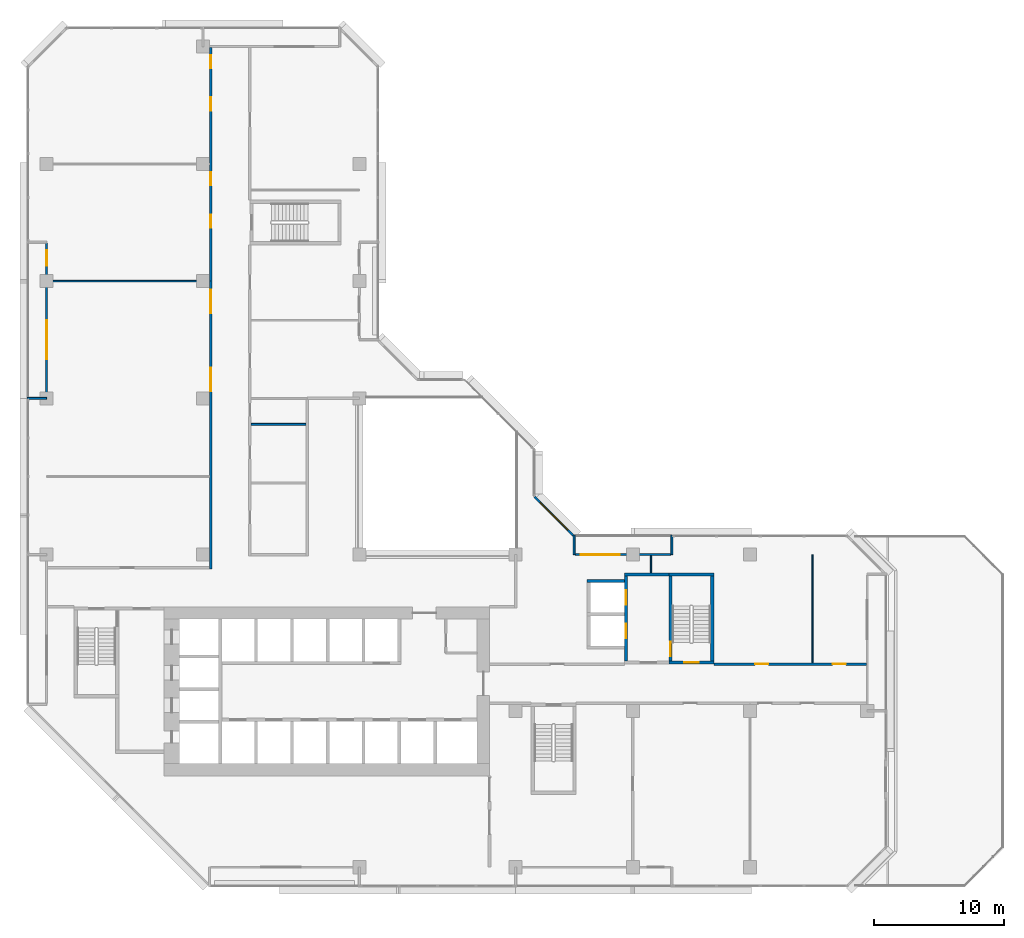
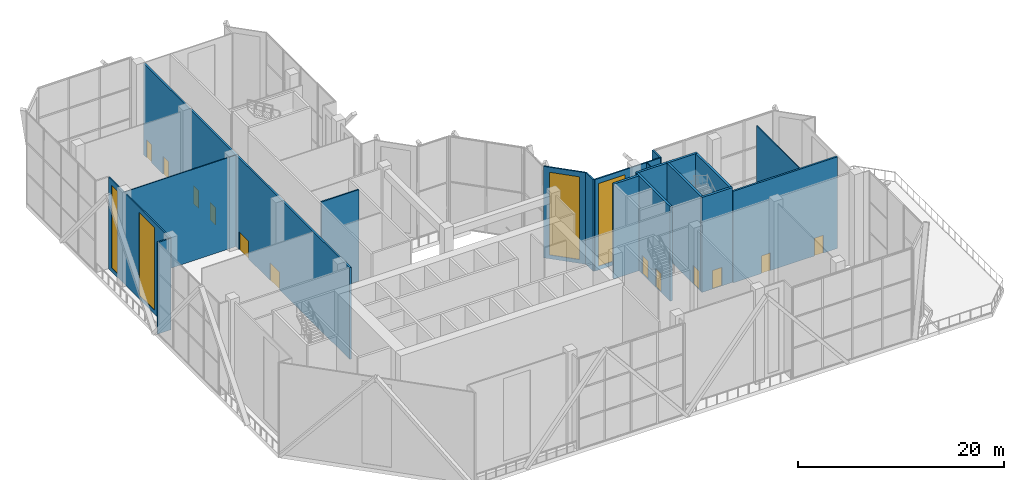
# One storey, part 14 of 21: 19 walls, 12 doors, 4 windows, 16 openings.
"""IFC4 building model written with IfcOpenShell, lengths in metres."""

import ifcopenshell
import ifcopenshell.guid

model = None  # the IFC model being written
_history = None  # IfcOwnerHistory: only IFC2X3 demands one
_inside = {}  # id of a spatial element -> (the spatial element, [elements in it])
_under = {}  # id of a project, library or spatial element -> (it, [spatial elements below it])
_declared = {}  # id of a project -> (the project, [libraries it declares])
_typed = {}  # id of a type object -> (the type object, [elements of that type])
_made_of = {}  # id of a material, layer set ... -> (it, [elements and type objects made of it])


def new_model(schema):
    """Start an empty IFC model of exactly this schema.

    Asked for "IFC4X3", IfcOpenShell would pick the latest addendum, in which some entities
    have other attributes; the version numbers below select the first issue.
    IFC2X3 requires an IfcOwnerHistory on every rooted entity: one is made here for all.
    """
    global model, _history
    if schema == "IFC4X3":
        model = ifcopenshell.file(schema_version=(4, 3, 0, 0))
    else:
        model = ifcopenshell.file(schema=schema)
    _inside.clear()
    _under.clear()
    _declared.clear()
    _typed.clear()
    _made_of.clear()
    _history = None
    if model.schema == "IFC2X3":
        org = make("IfcOrganization", Name="unknown")
        user = make(
            "IfcPersonAndOrganization",
            ThePerson=make("IfcPerson", FamilyName="unknown"),
            TheOrganization=org,
        )
        app = make(
            "IfcApplication",
            ApplicationDeveloper=org,
            Version="unknown",
            ApplicationFullName="unknown",
            ApplicationIdentifier="unknown",
        )
        _history = make(
            "IfcOwnerHistory",
            OwningUser=user,
            OwningApplication=app,
            ChangeAction="ADDED",
            CreationDate=0,
        )
    return model


def make(cls, **values):
    """One entity of the class cls with the attributes given. An attribute that is None is left unset."""
    return model.create_entity(
        cls, **{name: value for name, value in values.items() if value is not None}
    )


def rooted(cls, **values):
    """An entity with a GlobalId (a new one), such as an element, a storey or a relation."""
    return make(cls, GlobalId=ifcopenshell.guid.new(), OwnerHistory=_history, **values)


def si_unit(unit_type, name, prefix=None):
    """IfcSIUnit, for example si_unit("LENGTHUNIT", "METRE", prefix="MILLI")."""
    return make("IfcSIUnit", UnitType=unit_type, Prefix=prefix, Name=name)


def assignment(units):
    """IfcUnitAssignment: the units of a project."""
    return None if units is None else make("IfcUnitAssignment", Units=units)


def point(xyz):
    """IfcCartesianPoint."""
    return None if xyz is None else make("IfcCartesianPoint", Coordinates=xyz)


def direction(xyz):
    """IfcDirection."""
    return None if xyz is None else make("IfcDirection", DirectionRatios=xyz)


def frame(location, z_axis=None, x_axis=None):
    """IfcAxis2Placement3D, a coordinate frame: its origin and axes. An axis left out is left unset."""
    return make(
        "IfcAxis2Placement3D",
        Location=point(location),
        Axis=direction(z_axis),
        RefDirection=direction(x_axis),
    )


def frame_2d(location, x_axis=None):
    """IfcAxis2Placement2D, a coordinate frame in the plane: its origin and x axis."""
    return make(
        "IfcAxis2Placement2D", Location=point(location), RefDirection=direction(x_axis)
    )


def origin():
    """The frame at (0, 0, 0) with its axes left unset."""
    return frame((0.0, 0.0, 0.0))


def place(relative_to, where):
    """IfcLocalPlacement: puts the frame where relative to a parent placement (None: the world)."""
    return make(
        "IfcLocalPlacement", PlacementRelTo=relative_to, RelativePlacement=where
    )


def context(
    kind, dimensions, precision=None, world=None, true_north=None, identifier=None
):
    """IfcGeometricRepresentationContext, for example the 3D "Model" context."""
    return make(
        "IfcGeometricRepresentationContext",
        ContextIdentifier=identifier,
        ContextType=kind,
        CoordinateSpaceDimension=dimensions,
        Precision=precision,
        WorldCoordinateSystem=world,
        TrueNorth=true_north,
    )


def subcontext(parent, identifier, kind, view, scale=None):
    """IfcGeometricRepresentationSubContext, for example "Body" below "Model"."""
    return make(
        "IfcGeometricRepresentationSubContext",
        ContextIdentifier=identifier,
        ContextType=kind,
        ParentContext=parent,
        TargetScale=scale,
        TargetView=view,
    )


def project(units=None, contexts=None):
    """IfcProject with its units and contexts."""
    return rooted(
        "IfcProject",
        Name="project",
        RepresentationContexts=contexts,
        UnitsInContext=assignment(units),
    )


def spatial(cls, under=None, at=None, **own):
    """A site, building, storey or space (cls), placed at a placement, below another one or the project."""
    s = rooted(cls, ObjectPlacement=at, **own)
    if under is not None:
        _under.setdefault(under.id(), (under, []))[1].append(s)
    return s


def profile(cls, at=None, kind="AREA", **sizes):
    """A parametric profile (cls). Its sizes go by their IFC names, for example OverallWidth=200.0."""
    return make(cls, ProfileType=kind, Position=at, **sizes)


def rectangle(**sizes):
    """IfcRectangleProfileDef."""
    return profile("IfcRectangleProfileDef", **sizes)


def extrude(swept, where, along, depth):
    """IfcExtrudedAreaSolid: the profile swept, set in the frame where, extruded along a direction by depth."""
    return make(
        "IfcExtrudedAreaSolid",
        SweptArea=swept,
        Position=where,
        ExtrudedDirection=direction(along),
        Depth=depth,
    )


def shape(context_of_items, identifier, shape_type, items):
    """IfcShapeRepresentation: the items that make up one representation, for example the "Body"."""
    return make(
        "IfcShapeRepresentation",
        ContextOfItems=context_of_items,
        RepresentationIdentifier=identifier,
        RepresentationType=shape_type,
        Items=items,
    )


def material(Name=None, Category=None):
    """IfcMaterial."""
    return make("IfcMaterial", Name=Name, Category=Category)


def layer(
    of_material, thickness, ventilated=None, Name=None, Category=None, Priority=None
):
    """IfcMaterialLayer: one layer of a wall or slab, of a material (None: an air gap)."""
    return make(
        "IfcMaterialLayer",
        Material=of_material,
        LayerThickness=thickness,
        IsVentilated=ventilated,
        Name=Name,
        Category=Category,
        Priority=Priority,
    )


def layer_set(layers, Name=None):
    """IfcMaterialLayerSet."""
    return make("IfcMaterialLayerSet", MaterialLayers=layers, LayerSetName=Name)


def made_of(thing, what):
    """Note that an element or type object is made of a material, layer set ...; save() writes the relation."""
    if what is not None:
        _made_of.setdefault(what.id(), (what, []))[1].append(thing)
    return thing


def type_object(cls, material=None, **own):
    """A type object (cls), such as IfcWallType, which elements share."""
    return made_of(rooted(cls, **own), material)


def element(
    cls,
    number,
    at=None,
    inside=None,
    cuts=None,
    type_object=None,
    material=None,
    context=None,
    identifier="Body",
    shape_type=None,
    held_by="IfcProductDefinitionShape",
    body=None,
    shapes=None,
    **own,
):
    """One element of the class cls, such as IfcWall. Its Tag is "e" and its number.

    at: its placement. inside: the storey or other place that contains it. cuts: it is an
    opening in that element (IfcRelVoidsElement). A single representation is given by context,
    identifier, shape_type and body (its items); several are given by shapes. held_by: the class
    of the entity that holds the representations. save() writes the other relations.
    """
    e = rooted(cls, Tag="e%d" % number, ObjectPlacement=at, **own)
    if body is not None:
        shapes = [shape(context, identifier, shape_type, body)]
    if shapes is not None:
        e.Representation = make(held_by, Representations=shapes)
    if inside is not None:
        _inside.setdefault(inside.id(), (inside, []))[1].append(e)
    if cuts is not None:
        rooted(
            "IfcRelVoidsElement", RelatingBuildingElement=cuts, RelatedOpeningElement=e
        )
    if type_object is not None:
        _typed.setdefault(type_object.id(), (type_object, []))[1].append(e)
    return made_of(e, material)


def fill(opening, filler):
    """IfcRelFillsElement: the door or window that sits in an opening."""
    return rooted(
        "IfcRelFillsElement",
        RelatingOpeningElement=opening,
        RelatedBuildingElement=filler,
    )


def aggregate(whole, parts):
    """IfcRelAggregates: a whole, such as a stair, and the parts it consists of."""
    return rooted("IfcRelAggregates", RelatingObject=whole, RelatedObjects=parts)


def save(model, path):
    """Write the relations noted so far, then the file.

    IfcRelAggregates (storeys below a building ...), IfcRelContainedInSpatialStructure (elements
    in a storey), IfcRelDefinesByType, IfcRelAssociatesMaterial and IfcRelDeclares: one each for
    every whole, place, type object, material and project.
    """
    for whole, parts in _under.values():
        aggregate(whole, parts)
    for where, things in _inside.values():
        rooted(
            "IfcRelContainedInSpatialStructure",
            RelatedElements=things,
            RelatingStructure=where,
        )
    for kind, things in _typed.values():
        rooted("IfcRelDefinesByType", RelatedObjects=things, RelatingType=kind)
    for what, things in _made_of.values():
        rooted("IfcRelAssociatesMaterial", RelatedObjects=things, RelatingMaterial=what)
    for by, libraries in _declared.values():
        rooted("IfcRelDeclares", RelatingContext=by, RelatedDefinitions=libraries)
    model.write(path)


model = new_model("IFC4")

# Units and contexts
model_context = context("Model", 3, precision=1e-05, world=origin(), true_north=direction((0.0, 1.0)))
body_context = subcontext(model_context, "Body", "Model", "MODEL_VIEW")
ifc_project = project(units=[si_unit("LENGTHUNIT", "METRE"), si_unit("AREAUNIT", "SQUARE_METRE"), si_unit("VOLUMEUNIT", "CUBIC_METRE"), si_unit("PLANEANGLEUNIT", "RADIAN"), si_unit("MASSUNIT", "GRAM", prefix="KILO")], contexts=[model_context])

# Site, building, storey
site_placement = place(None, origin())
site = spatial("IfcSite", under=ifc_project, at=site_placement, CompositionType="ELEMENT")
building_placement = place(site_placement, origin())
building = spatial("IfcBuilding", under=site, at=building_placement, Name="Chenar Terraces", CompositionType="ELEMENT")
storey_placement = place(building_placement, frame((0.0, 0.0, 146.14990234375)))
storey = spatial("IfcBuildingStorey", under=building, at=storey_placement, Name="L34", CompositionType="ELEMENT", Elevation=146.14990234375)

# Wall, opening, door
ifc_material_1 = material(Name="Concrete C70/85", Category="concrete")
ifc_layer_1 = layer(ifc_material_1, 0.25)
ifc_layer_set_1 = layer_set([ifc_layer_1], Name="Concrete C70/85")
wall_type_1 = type_object("IfcWallType", Name="Core wall 250 Concrete C70/85", PredefinedType="SHEAR", material=ifc_layer_set_1)
wall_1_placement = place(storey_placement, frame((47.77490234375, 15.72509765625, 0.0), z_axis=(0.0, 0.0, 1.0), x_axis=(1.0, 0.0, 0.0)))
wall_1 = element("IfcWall", 1, at=wall_1_placement, inside=storey, type_object=wall_type_1, Name="Core wall ST3_S L34", PredefinedType="SHEAR", context=body_context, shape_type="SweptSolid", body=[
    extrude(rectangle(XDim=3.4501953125, YDim=0.25, at=frame_2d((1.72509765625, 0.0))), origin(), (0.0, 0.0, 1.0), 11.25),
])
opening_1_placement = place(wall_1_placement, frame((1.175048828125, 0.0, 0.0)))
opening_1 = element("IfcOpeningElement", 2, at=opening_1_placement, cuts=wall_1, Name="Opening DL34-C8", PredefinedType="OPENING", context=body_context, shape_type="SweptSolid", body=[
    extrude(rectangle(XDim=1.10009765625, YDim=2.199951171875, at=frame_2d((0.550048828125, 1.10009765625))), frame((0.0, 0.135009765625, 0.0), z_axis=(0.0, -1.0, 0.0), x_axis=(1.0, 0.0, 0.0)), (0.0, 0.0, 1.0), 0.27001953125),
])
ifc_material_2 = material(Name="Steel-framed fire-resisting door leaf", Category="steel")
door_type_1 = type_object("IfcDoorType", Name="Stair fire door FD60 1100 x 2200", OperationType="SINGLE_SWING_LEFT", PredefinedType="DOOR", material=ifc_material_2)
door_1_placement = place(opening_1_placement, frame((1.10009765625, 0.0, 0.0), z_axis=(0.0, 0.0, 1.0), x_axis=(-1.0, 0.0, 0.0)))
door_1 = element("IfcDoor", 3, at=door_1_placement, inside=storey, type_object=door_type_1, Name="Stair door DL34-C8", OperationType="SINGLE_SWING_LEFT", OverallHeight=2.199951171875, OverallWidth=1.10009765625, PredefinedType="DOOR", context=body_context, shape_type="SweptSolid", body=[
    extrude(rectangle(XDim=1.10009765625, YDim=2.199951171875, at=frame_2d((0.550048828125, 1.10009765625))), frame((0.0, 0.02490234375, 0.0), z_axis=(0.0, -1.0, 0.0), x_axis=(1.0, 0.0, 0.0)), (0.0, 0.0, 1.0), 0.050048828125),
])
fill(opening_1, door_1)

# Wall
wall_2_placement = place(storey_placement, frame((47.77490234375, 22.47509765625, 0.0), z_axis=(0.0, 0.0, 1.0), x_axis=(1.0, 0.0, 0.0)))
element("IfcWall", 4, at=wall_2_placement, inside=storey, type_object=wall_type_1, Name="Core wall ST3_N L34", PredefinedType="SHEAR", context=body_context, shape_type="SweptSolid", body=[
    extrude(rectangle(XDim=3.4501953125, YDim=0.25, at=frame_2d((1.72509765625, 0.0))), origin(), (0.0, 0.0, 1.0), 11.25),
])

# Wall, opening, door
wall_3_placement = place(storey_placement, frame((47.89990234375, 15.85009765625, 0.0), z_axis=(0.0, 0.0, 1.0), x_axis=(0.0, 1.0, 0.0)))
wall_3 = element("IfcWall", 5, at=wall_3_placement, inside=storey, type_object=wall_type_1, Name="Core wall ST3_W L34", PredefinedType="SHEAR", context=body_context, shape_type="SweptSolid", body=[
    extrude(rectangle(XDim=6.5, YDim=0.25, at=frame_2d((3.25, 0.0))), origin(), (0.0, 0.0, 1.0), 11.25),
])
opening_2_placement = place(wall_3_placement, frame((0.35009765625, 0.0, 0.0)))
opening_2 = element("IfcOpeningElement", 6, at=opening_2_placement, cuts=wall_3, Name="Opening DL34-C11", PredefinedType="OPENING", context=body_context, shape_type="SweptSolid", body=[
    extrude(rectangle(XDim=1.10009765625, YDim=2.199951171875, at=frame_2d((0.550048828125, 1.10009765625))), frame((0.0, 0.135009765625, 0.0), z_axis=(0.0, -1.0, 0.0), x_axis=(1.0, 0.0, 0.0)), (0.0, 0.0, 1.0), 0.27001953125),
])
door_2_placement = place(opening_2_placement, frame((1.10009765625, 0.0, 0.0), z_axis=(0.0, 0.0, 1.0), x_axis=(-1.0, 0.0, 0.0)))
door_2 = element("IfcDoor", 7, at=door_2_placement, inside=storey, type_object=door_type_1, Name="Stair door DL34-C11", OperationType="SINGLE_SWING_RIGHT", OverallHeight=2.199951171875, OverallWidth=1.10009765625, PredefinedType="DOOR", context=body_context, shape_type="SweptSolid", body=[
    extrude(rectangle(XDim=1.10009765625, YDim=2.199951171875, at=frame_2d((0.550048828125, 1.10009765625))), frame((0.0, 0.02490234375, 0.0), z_axis=(0.0, -1.0, 0.0), x_axis=(1.0, 0.0, 0.0)), (0.0, 0.0, 1.0), 0.050048828125),
])
fill(opening_2, door_2)

# Walls
wall_4_placement = place(storey_placement, frame((51.10009765625, 15.85009765625, 0.0), z_axis=(0.0, 0.0, 1.0), x_axis=(0.0, 1.0, 0.0)))
element("IfcWall", 8, at=wall_4_placement, inside=storey, type_object=wall_type_1, Name="Core wall ST3_E L34", PredefinedType="SHEAR", context=body_context, shape_type="SweptSolid", body=[
    extrude(rectangle(XDim=6.5, YDim=0.25, at=frame_2d((3.25, 0.0))), origin(), (0.0, 0.0, 1.0), 11.25),
])
wall_5_placement = place(storey_placement, frame((44.35009765625, 22.47509765625, 0.0), z_axis=(0.0, 0.0, 1.0), x_axis=(1.0, 0.0, 0.0)))
element("IfcWall", 9, at=wall_5_placement, inside=storey, type_object=wall_type_1, Name="Core wall F3_LN L34", PredefinedType="SHEAR", context=body_context, shape_type="SweptSolid", body=[
    extrude(rectangle(XDim=3.4248046875, YDim=0.25, at=frame_2d((1.71240234375, 0.0))), origin(), (0.0, 0.0, 1.0), 11.25),
])

# Wall, openings, doors
wall_6_placement = place(storey_placement, frame((44.47509765625, 15.85009765625, 0.0), z_axis=(0.0, 0.0, 1.0), x_axis=(0.0, 1.0, 0.0)))
wall_6 = element("IfcWall", 10, at=wall_6_placement, inside=storey, type_object=wall_type_1, Name="Core wall F3_LW L34", PredefinedType="SHEAR", context=body_context, shape_type="SweptSolid", body=[
    extrude(rectangle(XDim=6.5, YDim=0.25, at=frame_2d((3.25, 0.0))), origin(), (0.0, 0.0, 1.0), 11.25),
])
opening_3_placement = place(wall_6_placement, frame((1.75, 0.0, 0.0)))
opening_3 = element("IfcOpeningElement", 11, at=opening_3_placement, cuts=wall_6, Name="Opening DL34-LD12", PredefinedType="OPENING", context=body_context, shape_type="SweptSolid", body=[
    extrude(rectangle(XDim=1.10009765625, YDim=2.199951171875, at=frame_2d((0.550048828125, 1.10009765625))), frame((0.0, 0.135009765625, 0.0), z_axis=(0.0, -1.0, 0.0), x_axis=(1.0, 0.0, 0.0)), (0.0, 0.0, 1.0), 0.27001953125),
])
opening_4_placement = place(wall_6_placement, frame((4.300048828125, 0.0, 0.0)))
opening_4 = element("IfcOpeningElement", 12, at=opening_4_placement, cuts=wall_6, Name="Opening DL34-LD13", PredefinedType="OPENING", context=body_context, shape_type="SweptSolid", body=[
    extrude(rectangle(XDim=1.10009765625, YDim=2.199951171875, at=frame_2d((0.550048828125, 1.10009765625))), frame((0.0, 0.135009765625, 0.0), z_axis=(0.0, -1.0, 0.0), x_axis=(1.0, 0.0, 0.0)), (0.0, 0.0, 1.0), 0.27001953125),
])
ifc_material_3 = material(Name="Stainless steel", Category="steel")
door_type_2 = type_object("IfcDoorType", Name="Lift landing door 1100 x 2200 sliding", OperationType="DOUBLE_DOOR_SLIDING", PredefinedType="DOOR", material=ifc_material_3)
door_3_placement = place(opening_3_placement, origin())
door_3 = element("IfcDoor", 13, at=door_3_placement, inside=storey, type_object=door_type_2, Name="Landing door F3", OperationType="DOUBLE_DOOR_SLIDING", OverallHeight=2.199951171875, OverallWidth=1.10009765625, PredefinedType="DOOR", context=body_context, shape_type="SweptSolid", body=[
    extrude(rectangle(XDim=1.10009765625, YDim=2.199951171875, at=frame_2d((0.550048828125, 1.10009765625))), frame((0.0, 0.02490234375, 0.0), z_axis=(0.0, -1.0, 0.0), x_axis=(1.0, 0.0, 0.0)), (0.0, 0.0, 1.0), 0.050048828125),
])
fill(opening_3, door_3)
door_4_placement = place(opening_4_placement, origin())
door_4 = element("IfcDoor", 14, at=door_4_placement, inside=storey, type_object=door_type_2, Name="Landing door F4", OperationType="DOUBLE_DOOR_SLIDING", OverallHeight=2.199951171875, OverallWidth=1.10009765625, PredefinedType="DOOR", context=body_context, shape_type="SweptSolid", body=[
    extrude(rectangle(XDim=1.10009765625, YDim=2.199951171875, at=frame_2d((0.550048828125, 1.10009765625))), frame((0.0, 0.02490234375, 0.0), z_axis=(0.0, -1.0, 0.0), x_axis=(1.0, 0.0, 0.0)), (0.0, 0.0, 1.0), 0.050048828125),
])
fill(opening_4, door_4)

# Wall
wall_7_placement = place(storey_placement, frame((41.5, 21.97509765625, 0.0), z_axis=(0.0, 0.0, 1.0), x_axis=(1.0, 0.0, 0.0)))
element("IfcWall", 15, at=wall_7_placement, inside=storey, type_object=wall_type_1, Name="Core wall F4_SN L34", PredefinedType="SHEAR", context=body_context, shape_type="SweptSolid", body=[
    extrude(rectangle(XDim=2.85009765625, YDim=0.25, at=frame_2d((1.425048828125, 0.0))), origin(), (0.0, 0.0, 1.0), 11.25),
])

# Wall, openings, doors
ifc_material_4 = material(Name="Gypsum board on steel studs with fire boards", Category="steel")
ifc_layer_2 = layer(ifc_material_4, 0.199951171875)
ifc_layer_set_2 = layer_set([ifc_layer_2], Name="Gypsum board on steel studs with fire boards")
wall_type_2 = type_object("IfcWallType", Name="Corridor wall 200", PredefinedType="PARTITIONING", material=ifc_layer_set_2)
wall_8_placement = place(storey_placement, frame((12.60009765625, 22.89990234375, 0.0), z_axis=(0.0, 0.0, 1.0), x_axis=(0.0, 1.0, 0.0)))
wall_8 = element("IfcWall", 16, at=wall_8_placement, inside=storey, type_object=wall_type_2, Name="Partition L34-006", PredefinedType="PARTITIONING", context=body_context, shape_type="SweptSolid", body=[
    extrude(rectangle(XDim=40.026123046875, YDim=0.199951171875, at=frame_2d((20.01318359375, 0.0))), origin(), (0.0, 0.0, 1.0), 10.85009765625),
])
opening_5_placement = place(wall_8_placement, frame((13.64990234375, 0.0, 0.0)))
opening_5 = element("IfcOpeningElement", 17, at=opening_5_placement, cuts=wall_8, Name="Opening DL34-12", PredefinedType="OPENING", context=body_context, shape_type="SweptSolid", body=[
    extrude(rectangle(XDim=1.800048828125, YDim=2.10009765625, at=frame_2d((0.89990234375, 1.050048828125))), frame((0.0, 0.10986328125, 0.0), z_axis=(0.0, -1.0, 0.0), x_axis=(1.0, 0.0, 0.0)), (0.0, 0.0, 1.0), 0.219970703125),
])
opening_6_placement = place(wall_8_placement, frame((19.64990234375, 0.0, 0.0)))
opening_6 = element("IfcOpeningElement", 18, at=opening_6_placement, cuts=wall_8, Name="Opening DL34-13", PredefinedType="OPENING", context=body_context, shape_type="SweptSolid", body=[
    extrude(rectangle(XDim=1.800048828125, YDim=2.10009765625, at=frame_2d((0.89990234375, 1.050048828125))), frame((0.0, 0.10986328125, 0.0), z_axis=(0.0, -1.0, 0.0), x_axis=(1.0, 0.0, 0.0)), (0.0, 0.0, 1.0), 0.219970703125),
])
opening_7_placement = place(wall_8_placement, frame((26.199951171875, 0.0, 0.0)))
opening_7 = element("IfcOpeningElement", 19, at=opening_7_placement, cuts=wall_8, Name="Opening DL34-14", PredefinedType="OPENING", context=body_context, shape_type="SweptSolid", body=[
    extrude(rectangle(XDim=1.0, YDim=2.10009765625, at=frame_2d((0.5, 1.050048828125))), frame((0.0, 0.10986328125, 0.0), z_axis=(0.0, -1.0, 0.0), x_axis=(1.0, 0.0, 0.0)), (0.0, 0.0, 1.0), 0.219970703125),
])
opening_8_placement = place(wall_8_placement, frame((29.449951171875, 0.0, 0.0)))
opening_8 = element("IfcOpeningElement", 20, at=opening_8_placement, cuts=wall_8, Name="Opening DL34-15", PredefinedType="OPENING", context=body_context, shape_type="SweptSolid", body=[
    extrude(rectangle(XDim=1.0, YDim=2.10009765625, at=frame_2d((0.5, 1.050048828125))), frame((0.0, 0.10986328125, 0.0), z_axis=(0.0, -1.0, 0.0), x_axis=(1.0, 0.0, 0.0)), (0.0, 0.0, 1.0), 0.219970703125),
])
opening_9_placement = place(wall_8_placement, frame((35.199951171875, 0.0, 0.0)))
opening_9 = element("IfcOpeningElement", 21, at=opening_9_placement, cuts=wall_8, Name="Opening DL34-16", PredefinedType="OPENING", context=body_context, shape_type="SweptSolid", body=[
    extrude(rectangle(XDim=1.0, YDim=2.10009765625, at=frame_2d((0.5, 1.050048828125))), frame((0.0, 0.10986328125, 0.0), z_axis=(0.0, -1.0, 0.0), x_axis=(1.0, 0.0, 0.0)), (0.0, 0.0, 1.0), 0.219970703125),
])
opening_10_placement = place(wall_8_placement, frame((38.449951171875, 0.0, 0.0)))
opening_10 = element("IfcOpeningElement", 22, at=opening_10_placement, cuts=wall_8, Name="Opening DL34-17", PredefinedType="OPENING", context=body_context, shape_type="SweptSolid", body=[
    extrude(rectangle(XDim=1.0, YDim=2.10009765625, at=frame_2d((0.5, 1.050048828125))), frame((0.0, 0.10986328125, 0.0), z_axis=(0.0, -1.0, 0.0), x_axis=(1.0, 0.0, 0.0)), (0.0, 0.0, 1.0), 0.219970703125),
])
ifc_material_5 = material(Name="Steel-framed fire-resisting door leaf", Category="steel")
door_type_3 = type_object("IfcDoorType", Name="Fire door FD60 1000 x 2100", OperationType="SINGLE_SWING_LEFT", PredefinedType="DOOR", material=ifc_material_5)
door_5_placement = place(opening_7_placement, origin())
door_5 = element("IfcDoor", 23, at=door_5_placement, inside=storey, type_object=door_type_3, Name="Door DL34-14", OperationType="SINGLE_SWING_RIGHT", OverallHeight=2.10009765625, OverallWidth=1.0, PredefinedType="DOOR", context=body_context, shape_type="SweptSolid", body=[
    extrude(rectangle(XDim=1.0, YDim=2.10009765625, at=frame_2d((0.5, 1.050048828125))), frame((0.0, 0.02490234375, 0.0), z_axis=(0.0, -1.0, 0.0), x_axis=(1.0, 0.0, 0.0)), (0.0, 0.0, 1.0), 0.050048828125),
])
fill(opening_7, door_5)
door_6_placement = place(opening_8_placement, origin())
door_6 = element("IfcDoor", 24, at=door_6_placement, inside=storey, type_object=door_type_3, Name="Door DL34-15", OperationType="SINGLE_SWING_RIGHT", OverallHeight=2.10009765625, OverallWidth=1.0, PredefinedType="DOOR", context=body_context, shape_type="SweptSolid", body=[
    extrude(rectangle(XDim=1.0, YDim=2.10009765625, at=frame_2d((0.5, 1.050048828125))), frame((0.0, 0.02490234375, 0.0), z_axis=(0.0, -1.0, 0.0), x_axis=(1.0, 0.0, 0.0)), (0.0, 0.0, 1.0), 0.050048828125),
])
fill(opening_8, door_6)
door_7_placement = place(opening_9_placement, origin())
door_7 = element("IfcDoor", 25, at=door_7_placement, inside=storey, type_object=door_type_3, Name="Door DL34-16", OperationType="SINGLE_SWING_RIGHT", OverallHeight=2.10009765625, OverallWidth=1.0, PredefinedType="DOOR", context=body_context, shape_type="SweptSolid", body=[
    extrude(rectangle(XDim=1.0, YDim=2.10009765625, at=frame_2d((0.5, 1.050048828125))), frame((0.0, 0.02490234375, 0.0), z_axis=(0.0, -1.0, 0.0), x_axis=(1.0, 0.0, 0.0)), (0.0, 0.0, 1.0), 0.050048828125),
])
fill(opening_9, door_7)
door_8_placement = place(opening_10_placement, origin())
door_8 = element("IfcDoor", 26, at=door_8_placement, inside=storey, type_object=door_type_3, Name="Door DL34-17", OperationType="SINGLE_SWING_RIGHT", OverallHeight=2.10009765625, OverallWidth=1.0, PredefinedType="DOOR", context=body_context, shape_type="SweptSolid", body=[
    extrude(rectangle(XDim=1.0, YDim=2.10009765625, at=frame_2d((0.5, 1.050048828125))), frame((0.0, 0.02490234375, 0.0), z_axis=(0.0, -1.0, 0.0), x_axis=(1.0, 0.0, 0.0)), (0.0, 0.0, 1.0), 0.050048828125),
])
fill(opening_10, door_8)
ifc_material_6 = material(Name="Steel-framed fire-resisting door leaf", Category="steel")
door_type_4 = type_object("IfcDoorType", Name="Fire double door FD60 1800 x 2100", OperationType="DOUBLE_DOOR_SINGLE_SWING", PredefinedType="DOOR", material=ifc_material_6)
door_9_placement = place(opening_5_placement, origin())
door_9 = element("IfcDoor", 27, at=door_9_placement, inside=storey, type_object=door_type_4, Name="Door DL34-12", OperationType="DOUBLE_DOOR_SINGLE_SWING", OverallHeight=2.10009765625, OverallWidth=1.800048828125, PredefinedType="DOOR", context=body_context, shape_type="SweptSolid", body=[
    extrude(rectangle(XDim=1.800048828125, YDim=2.10009765625, at=frame_2d((0.89990234375, 1.050048828125))), frame((0.0, 0.02490234375, 0.0), z_axis=(0.0, -1.0, 0.0), x_axis=(1.0, 0.0, 0.0)), (0.0, 0.0, 1.0), 0.050048828125),
])
fill(opening_5, door_9)
door_10_placement = place(opening_6_placement, origin())
door_10 = element("IfcDoor", 28, at=door_10_placement, inside=storey, type_object=door_type_4, Name="Door DL34-13", OperationType="DOUBLE_DOOR_SINGLE_SWING", OverallHeight=2.10009765625, OverallWidth=1.800048828125, PredefinedType="DOOR", context=body_context, shape_type="SweptSolid", body=[
    extrude(rectangle(XDim=1.800048828125, YDim=2.10009765625, at=frame_2d((0.89990234375, 1.050048828125))), frame((0.0, 0.02490234375, 0.0), z_axis=(0.0, -1.0, 0.0), x_axis=(1.0, 0.0, 0.0)), (0.0, 0.0, 1.0), 0.050048828125),
])
fill(opening_6, door_10)

wall_9_placement = place(storey_placement, frame((51.22509765625, 15.60009765625, 0.0), z_axis=(0.0, 0.0, 1.0), x_axis=(1.0, 0.0, 0.0)))
wall_9 = element("IfcWall", 29, at=wall_9_placement, inside=storey, type_object=wall_type_2, Name="Partition L34-025", PredefinedType="PARTITIONING", context=body_context, shape_type="SweptSolid", body=[
    extrude(rectangle(XDim=11.700927734375, YDim=0.199951171875, at=frame_2d((5.8505859375, 0.0))), origin(), (0.0, 0.0, 1.0), 10.85009765625),
])
opening_11_placement = place(wall_9_placement, frame((3.175048828125, 0.0, 0.0)))
opening_11 = element("IfcOpeningElement", 30, at=opening_11_placement, cuts=wall_9, Name="Opening DL34-2", PredefinedType="OPENING", context=body_context, shape_type="SweptSolid", body=[
    extrude(rectangle(XDim=1.0, YDim=2.10009765625, at=frame_2d((0.5, 1.050048828125))), frame((0.0, 0.10986328125, 0.0), z_axis=(0.0, -1.0, 0.0), x_axis=(1.0, 0.0, 0.0)), (0.0, 0.0, 1.0), 0.219970703125),
])
opening_12_placement = place(wall_9_placement, frame((9.125, 0.0, 0.0)))
opening_12 = element("IfcOpeningElement", 31, at=opening_12_placement, cuts=wall_9, Name="Opening DL34-3", PredefinedType="OPENING", context=body_context, shape_type="SweptSolid", body=[
    extrude(rectangle(XDim=1.0, YDim=2.10009765625, at=frame_2d((0.5, 1.050048828125))), frame((0.0, 0.10986328125, 0.0), z_axis=(0.0, -1.0, 0.0), x_axis=(1.0, 0.0, 0.0)), (0.0, 0.0, 1.0), 0.219970703125),
])
door_11_placement = place(opening_11_placement, origin())
door_11 = element("IfcDoor", 32, at=door_11_placement, inside=storey, type_object=door_type_3, Name="Door DL34-2", OperationType="SINGLE_SWING_RIGHT", OverallHeight=2.10009765625, OverallWidth=1.0, PredefinedType="DOOR", context=body_context, shape_type="SweptSolid", body=[
    extrude(rectangle(XDim=1.0, YDim=2.10009765625, at=frame_2d((0.5, 1.050048828125))), frame((0.0, 0.02490234375, 0.0), z_axis=(0.0, -1.0, 0.0), x_axis=(1.0, 0.0, 0.0)), (0.0, 0.0, 1.0), 0.050048828125),
])
fill(opening_11, door_11)
door_12_placement = place(opening_12_placement, origin())
door_12 = element("IfcDoor", 33, at=door_12_placement, inside=storey, type_object=door_type_3, Name="Door DL34-3", OperationType="SINGLE_SWING_LEFT", OverallHeight=2.10009765625, OverallWidth=1.0, PredefinedType="DOOR", context=body_context, shape_type="SweptSolid", body=[
    extrude(rectangle(XDim=1.0, YDim=2.10009765625, at=frame_2d((0.5, 1.050048828125))), frame((0.0, 0.02490234375, 0.0), z_axis=(0.0, -1.0, 0.0), x_axis=(1.0, 0.0, 0.0)), (0.0, 0.0, 1.0), 0.050048828125),
])
fill(opening_12, door_12)

# Wall, opening, window
ifc_material_7 = material(Name="Aluminium framed glazing", Category="aluminium")
ifc_layer_3 = layer(ifc_material_7, 0.14990234375)
ifc_layer_set_3 = layer_set([ifc_layer_3], Name="Aluminium framed glazing")
wall_type_3 = type_object("IfcWallType", Name="Glazed loggia back wall 150", PredefinedType="SOLIDWALL", material=ifc_layer_set_3)
wall_10_placement = place(storey_placement, frame((47.925048828125, 24.0, 0.0), z_axis=(0.0, 0.0, 1.0), x_axis=(-1.0, 0.0, 0.0)))
wall_10 = element("IfcWall", 34, at=wall_10_placement, inside=storey, type_object=wall_type_3, Name="Glazed loggia back wall", PredefinedType="SOLIDWALL", context=body_context, shape_type="SweptSolid", body=[
    extrude(rectangle(XDim=7.35009765625, YDim=0.14990234375, at=frame_2d((3.675048828125, 0.0))), origin(), (0.0, 0.0, 1.0), 10.85009765625),
])
opening_13_placement = place(wall_10_placement, frame((3.9375, 0.0, 0.449951171875)))
opening_13 = element("IfcOpeningElement", 35, at=opening_13_placement, cuts=wall_10, Name="Opening W300x980", PredefinedType="OPENING", context=body_context, shape_type="SweptSolid", body=[
    extrude(rectangle(XDim=3.0, YDim=9.800048828125, at=frame_2d((1.5, 4.89990234375))), frame((0.0, 0.0849609375, 0.0), z_axis=(0.0, -1.0, 0.0), x_axis=(1.0, 0.0, 0.0)), (0.0, 0.0, 1.0), 0.169921875),
])
ifc_material_8 = material(Name="Low emissivity double glazing, aluminium frame", Category="aluminium")
window_type_1 = type_object("IfcWindowType", Name="Fixed light 3000 x 9800", PartitioningType="SINGLE_PANEL", PredefinedType="WINDOW", material=ifc_material_8)
window_1_placement = place(opening_13_placement, origin())
window_1 = element("IfcWindow", 36, at=window_1_placement, inside=storey, type_object=window_type_1, Name="Window", OverallHeight=9.800048828125, OverallWidth=3.0, PartitioningType="SINGLE_PANEL", PredefinedType="WINDOW", context=body_context, shape_type="SweptSolid", body=[
    extrude(rectangle(XDim=3.0, YDim=9.800048828125, at=frame_2d((1.5, 4.89990234375))), frame((0.0, 0.030029296875, 0.0), z_axis=(0.0, -1.0, 0.0), x_axis=(1.0, 0.0, 0.0)), (0.0, 0.0, 1.0), 0.06005859375),
])
fill(opening_13, window_1)

# Wall, openings, windows
wall_11_placement = place(storey_placement, frame((0.0, 47.925048828125, 0.0), z_axis=(0.0, 0.0, 1.0), x_axis=(0.0, -1.0, 0.0)))
wall_11 = element("IfcWall", 37, at=wall_11_placement, inside=storey, type_object=wall_type_3, Name="Glazed loggia back wall", PredefinedType="SOLIDWALL", context=body_context, shape_type="SweptSolid", body=[
    extrude(rectangle(XDim=11.85009765625, YDim=0.14990234375, at=frame_2d((5.925048828125, 0.0))), origin(), (0.0, 0.0, 1.0), 10.85009765625),
])
opening_14_placement = place(wall_11_placement, frame((0.5625, 0.0, 0.449951171875)))
opening_14 = element("IfcOpeningElement", 38, at=opening_14_placement, cuts=wall_11, Name="Opening W120x980", PredefinedType="OPENING", context=body_context, shape_type="SweptSolid", body=[
    extrude(rectangle(XDim=1.199951171875, YDim=9.800048828125, at=frame_2d((0.60009765625, 4.89990234375))), frame((0.0, 0.0849609375, 0.0), z_axis=(0.0, -1.0, 0.0), x_axis=(1.0, 0.0, 0.0)), (0.0, 0.0, 1.0), 0.169921875),
])
opening_15_placement = place(wall_11_placement, frame((5.925048828125, 0.0, 0.449951171875)))
opening_15 = element("IfcOpeningElement", 39, at=opening_15_placement, cuts=wall_11, Name="Opening W300x980", PredefinedType="OPENING", context=body_context, shape_type="SweptSolid", body=[
    extrude(rectangle(XDim=3.0, YDim=9.800048828125, at=frame_2d((1.5, 4.89990234375))), frame((0.0, 0.0849609375, 0.0), z_axis=(0.0, -1.0, 0.0), x_axis=(1.0, 0.0, 0.0)), (0.0, 0.0, 1.0), 0.169921875),
])
ifc_material_9 = material(Name="Low emissivity double glazing, aluminium frame", Category="aluminium")
window_type_2 = type_object("IfcWindowType", Name="Fixed light 1200 x 9800", PartitioningType="SINGLE_PANEL", PredefinedType="WINDOW", material=ifc_material_9)
window_2_placement = place(opening_14_placement, origin())
window_2 = element("IfcWindow", 40, at=window_2_placement, inside=storey, type_object=window_type_2, Name="Window", OverallHeight=9.800048828125, OverallWidth=1.199951171875, PartitioningType="SINGLE_PANEL", PredefinedType="WINDOW", context=body_context, shape_type="SweptSolid", body=[
    extrude(rectangle(XDim=1.199951171875, YDim=9.800048828125, at=frame_2d((0.60009765625, 4.89990234375))), frame((0.0, 0.030029296875, 0.0), z_axis=(0.0, -1.0, 0.0), x_axis=(1.0, 0.0, 0.0)), (0.0, 0.0, 1.0), 0.06005859375),
])
fill(opening_14, window_2)
window_3_placement = place(opening_15_placement, origin())
window_3 = element("IfcWindow", 41, at=window_3_placement, inside=storey, type_object=window_type_1, Name="Window", OverallHeight=9.800048828125, OverallWidth=3.0, PartitioningType="SINGLE_PANEL", PredefinedType="WINDOW", context=body_context, shape_type="SweptSolid", body=[
    extrude(rectangle(XDim=3.0, YDim=9.800048828125, at=frame_2d((1.5, 4.89990234375))), frame((0.0, 0.030029296875, 0.0), z_axis=(0.0, -1.0, 0.0), x_axis=(1.0, 0.0, 0.0)), (0.0, 0.0, 1.0), 0.06005859375),
])
fill(opening_15, window_3)

# Walls
ifc_material_10 = material(Name="Gypsum board on steel studs", Category="steel")
ifc_layer_4 = layer(ifc_material_10, 0.10009765625)
ifc_layer_set_4 = layer_set([ifc_layer_4], Name="Gypsum board on steel studs")
wall_type_4 = type_object("IfcWallType", Name="Gypsum partition 100", PredefinedType="PARTITIONING", material=ifc_layer_set_4)
wall_12_placement = place(storey_placement, frame((0.073974609375, 45.0, 0.0), z_axis=(0.0, 0.0, 1.0), x_axis=(1.0, 0.0, 0.0)))
element("IfcWall", 42, at=wall_12_placement, inside=storey, type_object=wall_type_4, Name="Partition L34-005", PredefinedType="PARTITIONING", context=body_context, shape_type="SweptSolid", body=[
    extrude(rectangle(XDim=12.426025390625, YDim=0.10009765625, at=frame_2d((6.212890625, 0.0))), origin(), (0.0, 0.0, 1.0), 10.85009765625),
])
wall_13_placement = place(storey_placement, frame((46.39990234375, 22.60009765625, 0.0), z_axis=(0.0, 0.0, 1.0), x_axis=(0.0, 1.0, 0.0)))
element("IfcWall", 43, at=wall_13_placement, inside=storey, type_object=wall_type_4, Name="Partition L34-024", PredefinedType="PARTITIONING", context=body_context, shape_type="SweptSolid", body=[
    extrude(rectangle(XDim=1.325927734375, YDim=0.10009765625, at=frame_2d((0.6630859375, 0.0))), origin(), (0.0, 0.0, 1.0), 10.85009765625),
])
wall_14_placement = place(storey_placement, frame((58.800048828125, 15.699951171875, 0.0), z_axis=(0.0, 0.0, 1.0), x_axis=(0.0, 1.0, 0.0)))
element("IfcWall", 44, at=wall_14_placement, inside=storey, type_object=wall_type_4, Name="Partition L34-027", PredefinedType="PARTITIONING", context=body_context, shape_type="SweptSolid", body=[
    extrude(rectangle(XDim=8.300048828125, YDim=0.10009765625, at=frame_2d((4.14990234375, 0.0))), origin(), (0.0, 0.0, 1.0), 10.85009765625),
])
ifc_material_11 = material(Name="Terracotta cladding on insulated backing", Category="masonry")
ifc_layer_5 = layer(ifc_material_11, 0.14990234375)
ifc_layer_set_5 = layer_set([ifc_layer_5], Name="Terracotta cladding on insulated backing")
wall_type_5 = type_object("IfcWallType", Name="Loggia return wall 150", PredefinedType="SOLIDWALL", material=ifc_layer_set_5)
for number, where, z_axis, x_axis, name in (
    (45, (48.0, 25.5, 0.0), (0.0, 0.0, 1.0), (0.0, -1.0, 0.0), "Loggia return wall"),
    (46, (40.5, 25.5, 0.0), (0.0, 0.0, 1.0), (0.0, -1.0, 0.0), "Loggia return wall"),
    (47, (-1.5, 36.0, 0.0), (0.0, 0.0, 1.0), (1.0, 0.0, 0.0), "Loggia return wall"),
):
    element("IfcWall", number, at=place(storey_placement, frame(where, z_axis=z_axis, x_axis=x_axis)), inside=storey, type_object=wall_type_5, Name=name, PredefinedType="SOLIDWALL", context=body_context, shape_type="SweptSolid", body=[
        extrude(rectangle(XDim=1.5, YDim=0.14990234375, at=frame_2d((0.75, 0.0))), origin(), (0.0, 0.0, 1.0), 10.85009765625),
    ])

# Wall, opening, window
ifc_material_12 = material(Name="Terracotta cladding on insulated backing", Category="masonry")
ifc_layer_6 = layer(ifc_material_12, 0.14990234375)
ifc_layer_set_6 = layer_set([ifc_layer_6], Name="Terracotta cladding on insulated backing")
wall_type_6 = type_object("IfcWallType", Name="Terracotta rainscreen wall 150", PredefinedType="SOLIDWALL", material=ifc_layer_set_6)
wall_15_placement = place(storey_placement, frame((40.447021484375, 25.447021484375, 0.0), z_axis=(0.0, 0.0, 1.0), x_axis=(-0.707106781187, 0.707106781187, 0.0)))
wall_15 = element("IfcWall", 48, at=wall_15_placement, inside=storey, type_object=wall_type_6, Name="Terracotta rainscreen wall", PredefinedType="SOLIDWALL", context=body_context, shape_type="SweptSolid", body=[
    extrude(rectangle(XDim=4.24267578125, YDim=0.14990234375, at=frame_2d((2.121337890625, 0.0))), origin(), (0.0, 0.0, 1.0), 10.85009765625),
])
opening_16_placement = place(wall_15_placement, frame((0.621337890625, 0.0, 0.449951171875)))
opening_16 = element("IfcOpeningElement", 49, at=opening_16_placement, cuts=wall_15, Name="Opening W300x980", PredefinedType="OPENING", context=body_context, shape_type="SweptSolid", body=[
    extrude(rectangle(XDim=3.0, YDim=9.800048828125, at=frame_2d((1.5, 4.89990234375))), frame((0.0, 0.0849609375, 0.0), z_axis=(0.0, -1.0, 0.0), x_axis=(1.0, 0.0, 0.0)), (0.0, 0.0, 1.0), 0.169921875),
])
window_4_placement = place(opening_16_placement, origin())
window_4 = element("IfcWindow", 50, at=window_4_placement, inside=storey, type_object=window_type_1, Name="Window", OverallHeight=9.800048828125, OverallWidth=3.0, PartitioningType="SINGLE_PANEL", PredefinedType="WINDOW", context=body_context, shape_type="SweptSolid", body=[
    extrude(rectangle(XDim=3.0, YDim=9.800048828125, at=frame_2d((1.5, 4.89990234375))), frame((0.0, 0.030029296875, 0.0), z_axis=(0.0, -1.0, 0.0), x_axis=(1.0, 0.0, 0.0)), (0.0, 0.0, 1.0), 0.06005859375),
])
fill(opening_16, window_4)

# Wall
ifc_material_13 = material(Name="Moisture-resistant gypsum board on steel studs", Category="steel")
ifc_layer_7 = layer(ifc_material_13, 0.14990234375)
ifc_layer_set_7 = layer_set([ifc_layer_7], Name="Moisture-resistant gypsum board on steel studs")
wall_type_7 = type_object("IfcWallType", Name="Wet-room partition 150", PredefinedType="PARTITIONING", material=ifc_layer_set_7)
wall_16_placement = place(storey_placement, frame((15.699951171875, 34.0, 0.0), z_axis=(0.0, 0.0, 1.0), x_axis=(1.0, 0.0, 0.0)))
element("IfcWall", 51, at=wall_16_placement, inside=storey, type_object=wall_type_7, Name="Partition L34-011", PredefinedType="PARTITIONING", context=body_context, shape_type="SweptSolid", body=[
    extrude(rectangle(XDim=4.199951171875, YDim=0.14990234375, at=frame_2d((2.10009765625, 0.0))), origin(), (0.0, 0.0, 1.0), 10.85009765625),
])

save(model, "model.ifc")
